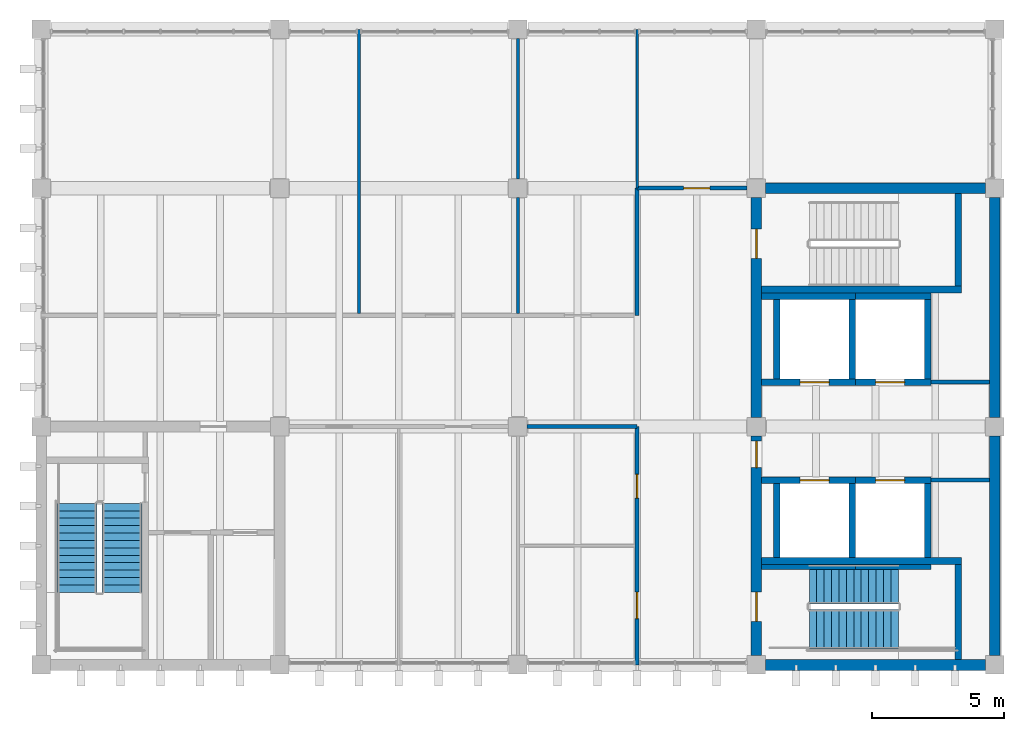
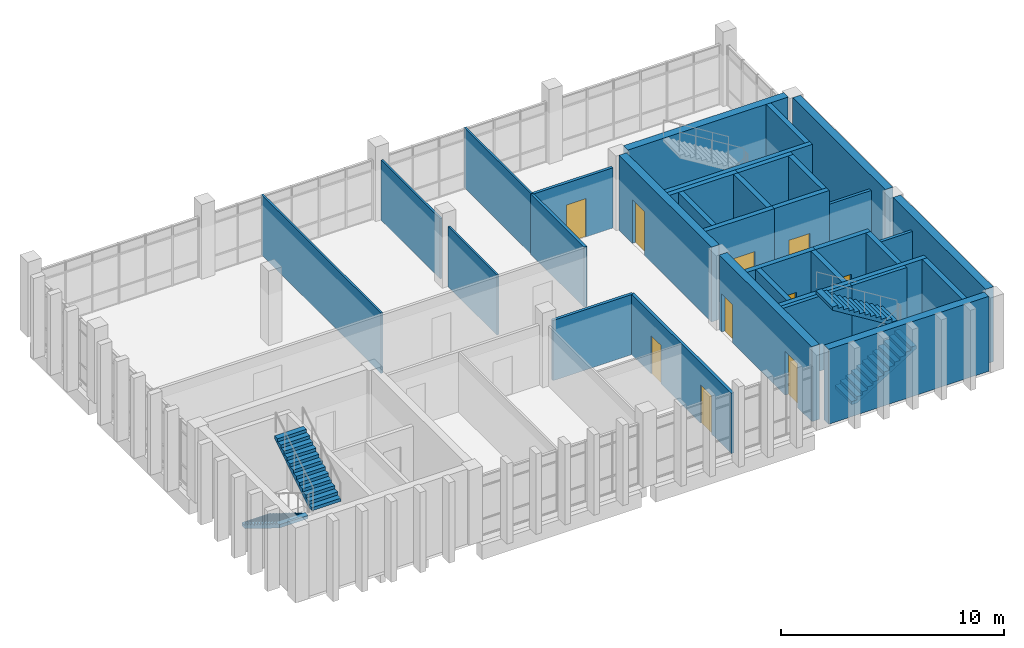
# One storey, part 10 of 14: 34 walls, 10 doors, 4 stair flights, 10 openings, 2 elements without a shape of their own.
"""IFC4 building model written with IfcOpenShell, lengths in metres."""

from ifc_helpers import new_model, si_unit, direction, frame, frame_2d, origin, place, context, subcontext, project, spatial, polyline, rectangle, outline, extrude, material, layer, layer_set, type_object, element, fill, aggregate, save


model = new_model("IFC4")

# Units and contexts
model_context = context("Model", 3, precision=1e-05, world=origin(), true_north=direction((0.0, 1.0)))
body_context = subcontext(model_context, "Body", "Model", "MODEL_VIEW")
ifc_project = project(units=[si_unit("LENGTHUNIT", "METRE"), si_unit("AREAUNIT", "SQUARE_METRE"), si_unit("VOLUMEUNIT", "CUBIC_METRE"), si_unit("PLANEANGLEUNIT", "RADIAN"), si_unit("MASSUNIT", "GRAM", prefix="KILO")], contexts=[model_context])

# Site, building, storey
site_placement = place(None, origin())
site = spatial("IfcSite", under=ifc_project, at=site_placement, CompositionType="ELEMENT")
building_placement = place(site_placement, origin())
building = spatial("IfcBuilding", under=site, at=building_placement, Name="Merrow Basin Faculty of Sciences", CompositionType="ELEMENT")
storey_placement = place(building_placement, frame((0.0, 0.0, 36.0)))
storey = spatial("IfcBuildingStorey", under=building, at=storey_placement, Name="L08", CompositionType="ELEMENT", Elevation=36.0)

# Wall, openings, doors
ifc_material_1 = material(Name="Fire-rated gypsum board")
ifc_layer_1 = layer(ifc_material_1, 0.14990234375)
ifc_layer_set_1 = layer_set([ifc_layer_1], Name="Corridor partition 150 fire-rated board on steel studs")
wall_type_1 = type_object("IfcWallType", Name="Corridor partition 150 fire-rated board on steel studs", PredefinedType="PARTITIONING", material=ifc_layer_set_1)
wall_1_placement = place(storey_placement, frame((40.5, 142.0, 0.0), z_axis=(0.0, 0.0, 1.0), x_axis=(0.0, 1.0, 0.0)))
wall_1 = element("IfcWall", 1, at=wall_1_placement, inside=storey, type_object=wall_type_1, Name="IW151 L08 004", PredefinedType="PARTITIONING", context=body_context, shape_type="SweptSolid", body=[
    extrude(rectangle(XDim=9.0, YDim=0.14990234375, at=frame_2d((4.5, 0.0))), origin(), (0.0, 0.0, 1.0), 3.300048828125),
])
opening_1_placement = place(wall_1_placement, frame((1.75, 0.0, 0.0)))
opening_1 = element("IfcOpeningElement", 2, at=opening_1_placement, cuts=wall_1, Name="Opening D08T008", PredefinedType="OPENING", context=body_context, shape_type="SweptSolid", body=[
    extrude(rectangle(XDim=1.0, YDim=2.10009765625, at=frame_2d((0.5, 1.050048828125))), frame((0.0, 0.0849609375, 0.0), z_axis=(0.0, -1.0, 0.0), x_axis=(1.0, 0.0, 0.0)), (0.0, 0.0, 1.0), 0.169921875),
])
opening_2_placement = place(wall_1_placement, frame((6.300048828125, 0.0, 0.0)))
opening_2 = element("IfcOpeningElement", 3, at=opening_2_placement, cuts=wall_1, Name="Opening D08T009", PredefinedType="OPENING", context=body_context, shape_type="SweptSolid", body=[
    extrude(rectangle(XDim=0.89990234375, YDim=2.10009765625, at=frame_2d((0.449951171875, 1.050048828125))), frame((0.0, 0.0849609375, 0.0), z_axis=(0.0, -1.0, 0.0), x_axis=(1.0, 0.0, 0.0)), (0.0, 0.0, 1.0), 0.169921875),
])
ifc_material_2 = material(Name="Timber door leaf", Category="wood")
door_type_1 = type_object("IfcDoorType", Name="Accessible door 1000 x 2100", OperationType="NOTDEFINED", PredefinedType="DOOR", material=ifc_material_2)
door_1_placement = place(opening_1_placement, origin())
door_1 = element("IfcDoor", 4, at=door_1_placement, inside=storey, type_object=door_type_1, Name="Door D08T008", OperationType="SINGLE_SWING_LEFT", OverallHeight=2.10009765625, OverallWidth=1.0, PredefinedType="DOOR", context=body_context, shape_type="SweptSolid", body=[
    extrude(rectangle(XDim=1.0, YDim=2.10009765625, at=frame_2d((0.5, 1.050048828125))), frame((0.0, 0.02490234375, 0.0), z_axis=(0.0, -1.0, 0.0), x_axis=(1.0, 0.0, 0.0)), (0.0, 0.0, 1.0), 0.050048828125),
])
fill(opening_1, door_1)
ifc_material_3 = material(Name="Timber door leaf", Category="wood")
door_type_2 = type_object("IfcDoorType", Name="Single swing door 900 x 2100", OperationType="NOTDEFINED", PredefinedType="DOOR", material=ifc_material_3)
door_2_placement = place(opening_2_placement, origin())
door_2 = element("IfcDoor", 5, at=door_2_placement, inside=storey, type_object=door_type_2, Name="Door D08T009", OperationType="SINGLE_SWING_LEFT", OverallHeight=2.10009765625, OverallWidth=0.89990234375, PredefinedType="DOOR", context=body_context, shape_type="SweptSolid", body=[
    extrude(rectangle(XDim=0.89990234375, YDim=2.10009765625, at=frame_2d((0.449951171875, 1.050048828125))), frame((0.0, 0.02490234375, 0.0), z_axis=(0.0, -1.0, 0.0), x_axis=(1.0, 0.0, 0.0)), (0.0, 0.0, 1.0), 0.050048828125),
])
fill(opening_2, door_2)

# Walls
wall_2_placement = place(storey_placement, frame((40.5, 155.199951171875, 0.0), z_axis=(0.0, 0.0, 1.0), x_axis=(0.0, 1.0, 0.0)))
element("IfcWall", 6, at=wall_2_placement, inside=storey, type_object=wall_type_1, Name="IW151 L08 005", PredefinedType="PARTITIONING", context=body_context, shape_type="SweptSolid", body=[
    extrude(rectangle(XDim=4.800048828125, YDim=0.14990234375, at=frame_2d((2.39990234375, 0.0))), origin(), (0.0, 0.0, 1.0), 3.300048828125),
])
wall_3_placement = place(storey_placement, frame((51.60009765625, 148.97509765625, 0.0), z_axis=(0.0, 0.0, 1.0), x_axis=(1.0, 0.0, 0.0)))
element("IfcWall", 7, at=wall_3_placement, inside=storey, type_object=wall_type_1, Name="IW151 L08 007", PredefinedType="PARTITIONING", context=body_context, shape_type="SweptSolid", body=[
    extrude(rectangle(XDim=2.199951171875, YDim=0.14990234375, at=frame_2d((1.10009765625, 0.0))), origin(), (0.0, 0.0, 1.0), 3.300048828125),
])
wall_4_placement = place(storey_placement, frame((36.35009765625, 151.0, 0.0), z_axis=(0.0, 0.0, 1.0), x_axis=(1.0, 0.0, 0.0)))
element("IfcWall", 8, at=wall_4_placement, inside=storey, type_object=wall_type_1, Name="IW151 L08 009", PredefinedType="PARTITIONING", context=body_context, shape_type="SweptSolid", body=[
    extrude(rectangle(XDim=4.14990234375, YDim=0.14990234375, at=frame_2d((2.074951171875, 0.0))), origin(), (0.0, 0.0, 1.0), 3.300048828125),
])
wall_5_placement = place(storey_placement, frame((51.60009765625, 152.675048828125, 0.0), z_axis=(0.0, 0.0, 1.0), x_axis=(1.0, 0.0, 0.0)))
element("IfcWall", 9, at=wall_5_placement, inside=storey, type_object=wall_type_1, Name="IW151 L08 010", PredefinedType="PARTITIONING", context=body_context, shape_type="SweptSolid", body=[
    extrude(rectangle(XDim=2.199951171875, YDim=0.14990234375, at=frame_2d((1.10009765625, 0.0))), origin(), (0.0, 0.0, 1.0), 3.300048828125),
])

# Wall, opening, door
wall_6_placement = place(storey_placement, frame((40.5, 160.0, 0.0), z_axis=(0.0, 0.0, 1.0), x_axis=(1.0, 0.0, 0.0)))
wall_6 = element("IfcWall", 10, at=wall_6_placement, inside=storey, type_object=wall_type_1, Name="IW151 L08 012", PredefinedType="PARTITIONING", context=body_context, shape_type="SweptSolid", body=[
    extrude(rectangle(XDim=4.14990234375, YDim=0.14990234375, at=frame_2d((2.074951171875, 0.0))), origin(), (0.0, 0.0, 1.0), 3.300048828125),
])
opening_3_placement = place(wall_6_placement, frame((1.75, 0.0, 0.0)))
opening_3 = element("IfcOpeningElement", 11, at=opening_3_placement, cuts=wall_6, Name="Opening D08T015", PredefinedType="OPENING", context=body_context, shape_type="SweptSolid", body=[
    extrude(rectangle(XDim=1.0, YDim=2.10009765625, at=frame_2d((0.5, 1.050048828125))), frame((0.0, 0.0849609375, 0.0), z_axis=(0.0, -1.0, 0.0), x_axis=(1.0, 0.0, 0.0)), (0.0, 0.0, 1.0), 0.169921875),
])
ifc_material_4 = material(Name="Timber door leaf", Category="wood")
door_type_3 = type_object("IfcDoorType", Name="Single swing door 1000 x 2100", OperationType="NOTDEFINED", PredefinedType="DOOR", material=ifc_material_4)
door_3_placement = place(opening_3_placement, origin())
door_3 = element("IfcDoor", 12, at=door_3_placement, inside=storey, type_object=door_type_3, Name="Door D08T015", OperationType="SINGLE_SWING_LEFT", OverallHeight=2.10009765625, OverallWidth=1.0, PredefinedType="DOOR", context=body_context, shape_type="SweptSolid", body=[
    extrude(rectangle(XDim=1.0, YDim=2.10009765625, at=frame_2d((0.5, 1.050048828125))), frame((0.0, 0.02490234375, 0.0), z_axis=(0.0, -1.0, 0.0), x_axis=(1.0, 0.0, 0.0)), (0.0, 0.0, 1.0), 0.050048828125),
])
fill(opening_3, door_3)

# Walls
ifc_material_5 = material(Name="Gypsum board")
ifc_layer_2 = layer(ifc_material_5, 0.10009765625)
ifc_layer_set_2 = layer_set([ifc_layer_2], Name="Partition 100 gypsum board on steel studs")
wall_type_2 = type_object("IfcWallType", Name="Partition 100 gypsum board on steel studs", PredefinedType="PARTITIONING", material=ifc_layer_set_2)
wall_7_placement = place(storey_placement, frame((30.0, 155.27490234375, 0.0), z_axis=(0.0, 0.0, 1.0), x_axis=(0.0, 1.0, 0.0)))
element("IfcWall", 13, at=wall_7_placement, inside=storey, type_object=wall_type_2, Name="IW100 L08 015", PredefinedType="PARTITIONING", context=body_context, shape_type="SweptSolid", body=[
    extrude(rectangle(XDim=10.72509765625, YDim=0.10009765625, at=frame_2d((5.362548828125, 0.0))), origin(), (0.0, 0.0, 1.0), 3.300048828125),
])
wall_8_placement = place(storey_placement, frame((36.0, 160.35009765625, 0.0), z_axis=(0.0, 0.0, 1.0), x_axis=(0.0, 1.0, 0.0)))
element("IfcWall", 14, at=wall_8_placement, inside=storey, type_object=wall_type_2, Name="IW100 L08 017", PredefinedType="PARTITIONING", context=body_context, shape_type="SweptSolid", body=[
    extrude(rectangle(XDim=5.2998046875, YDim=0.10009765625, at=frame_2d((2.64990234375, 0.0))), origin(), (0.0, 0.0, 1.0), 3.300048828125),
])
wall_9_placement = place(storey_placement, frame((36.0, 155.27490234375, 0.0), z_axis=(0.0, 0.0, 1.0), x_axis=(0.0, 1.0, 0.0)))
element("IfcWall", 15, at=wall_9_placement, inside=storey, type_object=wall_type_2, Name="IW100 L08 018", PredefinedType="PARTITIONING", context=body_context, shape_type="SweptSolid", body=[
    extrude(rectangle(XDim=4.375, YDim=0.10009765625, at=frame_2d((2.1875, 0.0))), origin(), (0.0, 0.0, 1.0), 3.300048828125),
])
wall_10_placement = place(storey_placement, frame((40.5, 160.0, 0.0), z_axis=(0.0, 0.0, 1.0), x_axis=(0.0, 1.0, 0.0)))
element("IfcWall", 16, at=wall_10_placement, inside=storey, type_object=wall_type_2, Name="IW100 L08 019", PredefinedType="PARTITIONING", context=body_context, shape_type="SweptSolid", body=[
    extrude(rectangle(XDim=6.0, YDim=0.10009765625, at=frame_2d((3.0, 0.0))), origin(), (0.0, 0.0, 1.0), 3.300048828125),
])
ifc_material_6 = material(Name="Concrete C40/50", Category="concrete")
ifc_layer_3 = layer(ifc_material_6, 0.199951171875)
ifc_layer_set_3 = layer_set([ifc_layer_3], Name="Shear wall 200 Concrete C40/50")
wall_type_3 = type_object("IfcWallType", Name="Shear wall 200 Concrete C40/50", PredefinedType="SHEAR", material=ifc_layer_set_3)
wall_11_placement = place(storey_placement, frame((45.199951171875, 145.699951171875, 0.0), z_axis=(0.0, 0.0, 1.0), x_axis=(1.0, 0.0, 0.0)))
element("IfcWall", 17, at=wall_11_placement, inside=storey, type_object=wall_type_3, Name="SW6 L08 018", PredefinedType="SHEAR", context=body_context, shape_type="SweptSolid", body=[
    extrude(rectangle(XDim=3.550048828125, YDim=0.199951171875, at=frame_2d((1.77490234375, 0.0))), origin(), (0.0, 0.0, 1.0), 4.10009765625),
])
wall_12_placement = place(storey_placement, frame((48.75, 145.699951171875, 0.0), z_axis=(0.0, 0.0, 1.0), x_axis=(1.0, 0.0, 0.0)))
element("IfcWall", 18, at=wall_12_placement, inside=storey, type_object=wall_type_3, Name="SW6 L08 022", PredefinedType="SHEAR", context=body_context, shape_type="SweptSolid", body=[
    extrude(rectangle(XDim=2.85009765625, YDim=0.199951171875, at=frame_2d((1.425048828125, 0.0))), origin(), (0.0, 0.0, 1.0), 4.10009765625),
])
ifc_material_7 = material(Name="Concrete C40/50", Category="concrete")
ifc_layer_4 = layer(ifc_material_7, 0.25)
ifc_layer_set_4 = layer_set([ifc_layer_4], Name="Shear wall 250 Concrete C40/50")
wall_type_4 = type_object("IfcWallType", Name="Shear wall 250 Concrete C40/50", PredefinedType="SHEAR", material=ifc_layer_set_4)
wall_13_placement = place(storey_placement, frame((45.199951171875, 156.175048828125, 0.0), z_axis=(0.0, 0.0, 1.0), x_axis=(1.0, 0.0, 0.0)))
element("IfcWall", 19, at=wall_13_placement, inside=storey, type_object=wall_type_4, Name="SW2 L08 007", PredefinedType="SHEAR", context=body_context, shape_type="SweptSolid", body=[
    extrude(rectangle(XDim=7.550048828125, YDim=0.25, at=frame_2d((3.77490234375, 0.0))), origin(), (0.0, 0.0, 1.0), 4.10009765625),
])
wall_14_placement = place(storey_placement, frame((52.625, 156.300048828125, 0.0), z_axis=(0.0, 0.0, 1.0), x_axis=(0.0, 1.0, 0.0)))
element("IfcWall", 20, at=wall_14_placement, inside=storey, type_object=wall_type_4, Name="SW2 L08 008", PredefinedType="SHEAR", context=body_context, shape_type="SweptSolid", body=[
    extrude(rectangle(XDim=3.5, YDim=0.25, at=frame_2d((1.75, 0.0))), origin(), (0.0, 0.0, 1.0), 4.10009765625),
])
wall_15_placement = place(storey_placement, frame((45.199951171875, 145.925048828125, 0.0), z_axis=(0.0, 0.0, 1.0), x_axis=(1.0, 0.0, 0.0)))
element("IfcWall", 21, at=wall_15_placement, inside=storey, type_object=wall_type_4, Name="SW2 L08 009", PredefinedType="SHEAR", context=body_context, shape_type="SweptSolid", body=[
    extrude(rectangle(XDim=7.550048828125, YDim=0.25, at=frame_2d((3.77490234375, 0.0))), origin(), (0.0, 0.0, 1.0), 4.10009765625),
])
wall_16_placement = place(storey_placement, frame((52.625, 142.199951171875, 0.0), z_axis=(0.0, 0.0, 1.0), x_axis=(0.0, 1.0, 0.0)))
element("IfcWall", 22, at=wall_16_placement, inside=storey, type_object=wall_type_4, Name="SW2 L08 010", PredefinedType="SHEAR", context=body_context, shape_type="SweptSolid", body=[
    extrude(rectangle(XDim=3.60009765625, YDim=0.25, at=frame_2d((1.800048828125, 0.0))), origin(), (0.0, 0.0, 1.0), 4.10009765625),
])

# Wall, opening, door
wall_17_placement = place(storey_placement, frame((45.199951171875, 152.675048828125, 0.0), z_axis=(0.0, 0.0, 1.0), x_axis=(1.0, 0.0, 0.0)))
wall_17 = element("IfcWall", 23, at=wall_17_placement, inside=storey, type_object=wall_type_4, Name="SW2 L08 011", PredefinedType="SHEAR", context=body_context, shape_type="SweptSolid", body=[
    extrude(rectangle(XDim=3.550048828125, YDim=0.25, at=frame_2d((1.77490234375, 0.0))), origin(), (0.0, 0.0, 1.0), 4.10009765625),
])
opening_4_placement = place(wall_17_placement, frame((1.449951171875, 0.0, 0.0)))
opening_4 = element("IfcOpeningElement", 24, at=opening_4_placement, cuts=wall_17, Name="Opening LD08T01", PredefinedType="OPENING", context=body_context, shape_type="SweptSolid", body=[
    extrude(rectangle(XDim=1.10009765625, YDim=2.10009765625, at=frame_2d((0.550048828125, 1.050048828125))), frame((0.0, 0.135009765625, 0.0), z_axis=(0.0, -1.0, 0.0), x_axis=(1.0, 0.0, 0.0)), (0.0, 0.0, 1.0), 0.27001953125),
])
ifc_material_8 = material(Name="Stainless steel sliding door", Category="steel")
door_type_4 = type_object("IfcDoorType", Name="Lift landing door 1100 x 2100 sliding", OperationType="NOTDEFINED", PredefinedType="DOOR", material=ifc_material_8)
door_4_placement = place(opening_4_placement, origin())
door_4 = element("IfcDoor", 25, at=door_4_placement, inside=storey, type_object=door_type_4, Name="Landing door LF11 L08", OperationType="SLIDING_TO_LEFT", OverallHeight=2.10009765625, OverallWidth=1.10009765625, PredefinedType="DOOR", context=body_context, shape_type="SweptSolid", body=[
    extrude(rectangle(XDim=1.10009765625, YDim=2.10009765625, at=frame_2d((0.550048828125, 1.050048828125))), frame((0.0, 0.02490234375, 0.0), z_axis=(0.0, -1.0, 0.0), x_axis=(1.0, 0.0, 0.0)), (0.0, 0.0, 1.0), 0.050048828125),
])
fill(opening_4, door_4)

# Walls
wall_18_placement = place(storey_placement, frame((45.199951171875, 155.925048828125, 0.0), z_axis=(0.0, 0.0, 1.0), x_axis=(1.0, 0.0, 0.0)))
element("IfcWall", 26, at=wall_18_placement, inside=storey, type_object=wall_type_4, Name="SW2 L08 012", PredefinedType="SHEAR", context=body_context, shape_type="SweptSolid", body=[
    extrude(rectangle(XDim=3.550048828125, YDim=0.25, at=frame_2d((1.77490234375, 0.0))), origin(), (0.0, 0.0, 1.0), 4.10009765625),
])
for number, where, z_axis, x_axis, name in (
    (27, (45.77490234375, 152.800048828125, 0.0), (0.0, 0.0, 1.0), (0.0, 1.0, 0.0), "SW2 L08 013"),
    (28, (48.625, 152.800048828125, 0.0), (0.0, 0.0, 1.0), (0.0, 1.0, 0.0), "SW2 L08 014"),
):
    element("IfcWall", number, at=place(storey_placement, frame(where, z_axis=z_axis, x_axis=x_axis)), inside=storey, type_object=wall_type_4, Name=name, PredefinedType="SHEAR", context=body_context, shape_type="SweptSolid", body=[
        extrude(rectangle(XDim=3.0, YDim=0.25, at=frame_2d((1.5, 0.0))), origin(), (0.0, 0.0, 1.0), 4.10009765625),
    ])

# Wall, opening, door
wall_19_placement = place(storey_placement, frame((48.75, 152.675048828125, 0.0), z_axis=(0.0, 0.0, 1.0), x_axis=(1.0, 0.0, 0.0)))
wall_19 = element("IfcWall", 29, at=wall_19_placement, inside=storey, type_object=wall_type_4, Name="SW2 L08 015", PredefinedType="SHEAR", context=body_context, shape_type="SweptSolid", body=[
    extrude(rectangle(XDim=2.85009765625, YDim=0.25, at=frame_2d((1.425048828125, 0.0))), origin(), (0.0, 0.0, 1.0), 4.10009765625),
])
opening_5_placement = place(wall_19_placement, frame((0.75, 0.0, 0.0)))
opening_5 = element("IfcOpeningElement", 30, at=opening_5_placement, cuts=wall_19, Name="Opening LD08T02", PredefinedType="OPENING", context=body_context, shape_type="SweptSolid", body=[
    extrude(rectangle(XDim=1.10009765625, YDim=2.10009765625, at=frame_2d((0.550048828125, 1.050048828125))), frame((0.0, 0.135009765625, 0.0), z_axis=(0.0, -1.0, 0.0), x_axis=(1.0, 0.0, 0.0)), (0.0, 0.0, 1.0), 0.27001953125),
])
door_5_placement = place(opening_5_placement, origin())
door_5 = element("IfcDoor", 31, at=door_5_placement, inside=storey, type_object=door_type_4, Name="Landing door LF12 L08", OperationType="SLIDING_TO_LEFT", OverallHeight=2.10009765625, OverallWidth=1.10009765625, PredefinedType="DOOR", context=body_context, shape_type="SweptSolid", body=[
    extrude(rectangle(XDim=1.10009765625, YDim=2.10009765625, at=frame_2d((0.550048828125, 1.050048828125))), frame((0.0, 0.02490234375, 0.0), z_axis=(0.0, -1.0, 0.0), x_axis=(1.0, 0.0, 0.0)), (0.0, 0.0, 1.0), 0.050048828125),
])
fill(opening_5, door_5)

# Walls
wall_20_placement = place(storey_placement, frame((48.75, 155.925048828125, 0.0), z_axis=(0.0, 0.0, 1.0), x_axis=(1.0, 0.0, 0.0)))
element("IfcWall", 32, at=wall_20_placement, inside=storey, type_object=wall_type_4, Name="SW2 L08 016", PredefinedType="SHEAR", context=body_context, shape_type="SweptSolid", body=[
    extrude(rectangle(XDim=2.85009765625, YDim=0.25, at=frame_2d((1.425048828125, 0.0))), origin(), (0.0, 0.0, 1.0), 4.10009765625),
])
wall_21_placement = place(storey_placement, frame((51.47509765625, 152.800048828125, 0.0), z_axis=(0.0, 0.0, 1.0), x_axis=(0.0, 1.0, 0.0)))
element("IfcWall", 33, at=wall_21_placement, inside=storey, type_object=wall_type_4, Name="SW2 L08 017", PredefinedType="SHEAR", context=body_context, shape_type="SweptSolid", body=[
    extrude(rectangle(XDim=3.0, YDim=0.25, at=frame_2d((1.5, 0.0))), origin(), (0.0, 0.0, 1.0), 4.10009765625),
])

# Wall, opening, door
wall_22_placement = place(storey_placement, frame((45.199951171875, 148.97509765625, 0.0), z_axis=(0.0, 0.0, 1.0), x_axis=(1.0, 0.0, 0.0)))
wall_22 = element("IfcWall", 34, at=wall_22_placement, inside=storey, type_object=wall_type_4, Name="SW2 L08 019", PredefinedType="SHEAR", context=body_context, shape_type="SweptSolid", body=[
    extrude(rectangle(XDim=3.550048828125, YDim=0.25, at=frame_2d((1.77490234375, 0.0))), origin(), (0.0, 0.0, 1.0), 4.10009765625),
])
opening_6_placement = place(wall_22_placement, frame((1.449951171875, 0.0, 0.0)))
opening_6 = element("IfcOpeningElement", 35, at=opening_6_placement, cuts=wall_22, Name="Opening LD08T03", PredefinedType="OPENING", context=body_context, shape_type="SweptSolid", body=[
    extrude(rectangle(XDim=1.10009765625, YDim=2.10009765625, at=frame_2d((0.550048828125, 1.050048828125))), frame((0.0, 0.135009765625, 0.0), z_axis=(0.0, -1.0, 0.0), x_axis=(1.0, 0.0, 0.0)), (0.0, 0.0, 1.0), 0.27001953125),
])
door_6_placement = place(opening_6_placement, origin())
door_6 = element("IfcDoor", 36, at=door_6_placement, inside=storey, type_object=door_type_4, Name="Landing door LF13 L08", OperationType="SLIDING_TO_LEFT", OverallHeight=2.10009765625, OverallWidth=1.10009765625, PredefinedType="DOOR", context=body_context, shape_type="SweptSolid", body=[
    extrude(rectangle(XDim=1.10009765625, YDim=2.10009765625, at=frame_2d((0.550048828125, 1.050048828125))), frame((0.0, 0.02490234375, 0.0), z_axis=(0.0, -1.0, 0.0), x_axis=(1.0, 0.0, 0.0)), (0.0, 0.0, 1.0), 0.050048828125),
])
fill(opening_6, door_6)

# Walls
for number, where, z_axis, x_axis, name in (
    (37, (45.77490234375, 146.050048828125, 0.0), (0.0, 0.0, 1.0), (0.0, 1.0, 0.0), "SW2 L08 020"),
    (38, (48.625, 146.050048828125, 0.0), (0.0, 0.0, 1.0), (0.0, 1.0, 0.0), "SW2 L08 021"),
):
    element("IfcWall", number, at=place(storey_placement, frame(where, z_axis=z_axis, x_axis=x_axis)), inside=storey, type_object=wall_type_4, Name=name, PredefinedType="SHEAR", context=body_context, shape_type="SweptSolid", body=[
        extrude(rectangle(XDim=2.800048828125, YDim=0.25, at=frame_2d((1.39990234375, 0.0))), origin(), (0.0, 0.0, 1.0), 4.10009765625),
    ])

# Wall, opening, door
wall_23_placement = place(storey_placement, frame((48.75, 148.97509765625, 0.0), z_axis=(0.0, 0.0, 1.0), x_axis=(1.0, 0.0, 0.0)))
wall_23 = element("IfcWall", 39, at=wall_23_placement, inside=storey, type_object=wall_type_4, Name="SW2 L08 023", PredefinedType="SHEAR", context=body_context, shape_type="SweptSolid", body=[
    extrude(rectangle(XDim=2.85009765625, YDim=0.25, at=frame_2d((1.425048828125, 0.0))), origin(), (0.0, 0.0, 1.0), 4.10009765625),
])
opening_7_placement = place(wall_23_placement, frame((0.75, 0.0, 0.0)))
opening_7 = element("IfcOpeningElement", 40, at=opening_7_placement, cuts=wall_23, Name="Opening LD08T04", PredefinedType="OPENING", context=body_context, shape_type="SweptSolid", body=[
    extrude(rectangle(XDim=1.10009765625, YDim=2.10009765625, at=frame_2d((0.550048828125, 1.050048828125))), frame((0.0, 0.135009765625, 0.0), z_axis=(0.0, -1.0, 0.0), x_axis=(1.0, 0.0, 0.0)), (0.0, 0.0, 1.0), 0.27001953125),
])
door_7_placement = place(opening_7_placement, origin())
door_7 = element("IfcDoor", 41, at=door_7_placement, inside=storey, type_object=door_type_4, Name="Landing door LF14 L08", OperationType="SLIDING_TO_LEFT", OverallHeight=2.10009765625, OverallWidth=1.10009765625, PredefinedType="DOOR", context=body_context, shape_type="SweptSolid", body=[
    extrude(rectangle(XDim=1.10009765625, YDim=2.10009765625, at=frame_2d((0.550048828125, 1.050048828125))), frame((0.0, 0.02490234375, 0.0), z_axis=(0.0, -1.0, 0.0), x_axis=(1.0, 0.0, 0.0)), (0.0, 0.0, 1.0), 0.050048828125),
])
fill(opening_7, door_7)

# Walls
wall_24_placement = place(storey_placement, frame((51.47509765625, 146.050048828125, 0.0), z_axis=(0.0, 0.0, 1.0), x_axis=(0.0, 1.0, 0.0)))
element("IfcWall", 42, at=wall_24_placement, inside=storey, type_object=wall_type_4, Name="SW2 L08 024", PredefinedType="SHEAR", context=body_context, shape_type="SweptSolid", body=[
    extrude(rectangle(XDim=2.800048828125, YDim=0.25, at=frame_2d((1.39990234375, 0.0))), origin(), (0.0, 0.0, 1.0), 4.10009765625),
])
ifc_material_9 = material(Name="Concrete C40/50", Category="concrete")
ifc_layer_5 = layer(ifc_material_9, 0.39990234375)
ifc_layer_set_5 = layer_set([ifc_layer_5], Name="Shear wall 400 Concrete C40/50")
wall_type_5 = type_object("IfcWallType", Name="Shear wall 400 Concrete C40/50", PredefinedType="SHEAR", material=ifc_layer_set_5)
for number, where, z_axis, x_axis, name in (
    (43, (45.35009765625, 142.0, 0.0), (0.0, 0.0, 1.0), (1.0, 0.0, 0.0), "SW1 L08 001"),
    (44, (45.35009765625, 160.0, 0.0), (0.0, 0.0, 1.0), (1.0, 0.0, 0.0), "SW1 L08 002"),
):
    element("IfcWall", number, at=place(storey_placement, frame(where, z_axis=z_axis, x_axis=x_axis)), inside=storey, type_object=wall_type_5, Name=name, PredefinedType="SHEAR", context=body_context, shape_type="SweptSolid", body=[
        extrude(rectangle(XDim=8.2998046875, YDim=0.39990234375, at=frame_2d((4.14990234375, 0.0))), origin(), (0.0, 0.0, 1.0), 4.10009765625),
    ])

# Wall, openings, doors
wall_25_placement = place(storey_placement, frame((45.0, 142.35009765625, 0.0), z_axis=(0.0, 0.0, 1.0), x_axis=(0.0, 1.0, 0.0)))
wall_25 = element("IfcWall", 45, at=wall_25_placement, inside=storey, type_object=wall_type_5, Name="SW1 L08 003", PredefinedType="SHEAR", context=body_context, shape_type="SweptSolid", body=[
    extrude(rectangle(XDim=8.2998046875, YDim=0.39990234375, at=frame_2d((4.14990234375, 0.0))), origin(), (0.0, 0.0, 1.0), 4.10009765625),
])
opening_8_placement = place(wall_25_placement, frame((1.300048828125, 0.0, 0.0)))
opening_8 = element("IfcOpeningElement", 46, at=opening_8_placement, cuts=wall_25, Name="Opening D08T001", PredefinedType="OPENING", context=body_context, shape_type="SweptSolid", body=[
    extrude(rectangle(XDim=1.10009765625, YDim=2.39990234375, at=frame_2d((0.550048828125, 1.199951171875))), frame((0.0, 0.2099609375, 0.0), z_axis=(0.0, -1.0, 0.0), x_axis=(1.0, 0.0, 0.0)), (0.0, 0.0, 1.0), 0.419921875),
])
opening_9_placement = place(wall_25_placement, frame((7.10009765625, 0.0, 0.0)))
opening_9 = element("IfcOpeningElement", 47, at=opening_9_placement, cuts=wall_25, Name="Opening D08T003", PredefinedType="OPENING", context=body_context, shape_type="SweptSolid", body=[
    extrude(rectangle(XDim=1.0, YDim=2.10009765625, at=frame_2d((0.5, 1.050048828125))), frame((0.0, 0.2099609375, 0.0), z_axis=(0.0, -1.0, 0.0), x_axis=(1.0, 0.0, 0.0)), (0.0, 0.0, 1.0), 0.419921875),
])
ifc_material_10 = material(Name="Fire-rated steel door", Category="steel")
door_type_5 = type_object("IfcDoorType", Name="Fire door FD90 1100 x 2400", OperationType="NOTDEFINED", PredefinedType="DOOR", material=ifc_material_10)
door_8_placement = place(opening_8_placement, origin())
door_8 = element("IfcDoor", 48, at=door_8_placement, inside=storey, type_object=door_type_5, Name="Door D08T001", OperationType="SINGLE_SWING_LEFT", OverallHeight=2.39990234375, OverallWidth=1.10009765625, PredefinedType="DOOR", context=body_context, shape_type="SweptSolid", body=[
    extrude(rectangle(XDim=1.10009765625, YDim=2.39990234375, at=frame_2d((0.550048828125, 1.199951171875))), frame((0.0, 0.02490234375, 0.0), z_axis=(0.0, -1.0, 0.0), x_axis=(1.0, 0.0, 0.0)), (0.0, 0.0, 1.0), 0.050048828125),
])
fill(opening_8, door_8)
door_9_placement = place(opening_9_placement, origin())
door_9 = element("IfcDoor", 49, at=door_9_placement, inside=storey, type_object=door_type_3, Name="Door D08T003", OperationType="SINGLE_SWING_LEFT", OverallHeight=2.10009765625, OverallWidth=1.0, PredefinedType="DOOR", context=body_context, shape_type="SweptSolid", body=[
    extrude(rectangle(XDim=1.0, YDim=2.10009765625, at=frame_2d((0.5, 1.050048828125))), frame((0.0, 0.02490234375, 0.0), z_axis=(0.0, -1.0, 0.0), x_axis=(1.0, 0.0, 0.0)), (0.0, 0.0, 1.0), 0.050048828125),
])
fill(opening_9, door_9)

# Wall, opening, door
wall_26_placement = place(storey_placement, frame((45.0, 151.35009765625, 0.0), z_axis=(0.0, 0.0, 1.0), x_axis=(0.0, 1.0, 0.0)))
wall_26 = element("IfcWall", 50, at=wall_26_placement, inside=storey, type_object=wall_type_5, Name="SW1 L08 004", PredefinedType="SHEAR", context=body_context, shape_type="SweptSolid", body=[
    extrude(rectangle(XDim=8.2998046875, YDim=0.39990234375, at=frame_2d((4.14990234375, 0.0))), origin(), (0.0, 0.0, 1.0), 4.10009765625),
])
opening_10_placement = place(wall_26_placement, frame((6.0, 0.0, 0.0)))
opening_10 = element("IfcOpeningElement", 51, at=opening_10_placement, cuts=wall_26, Name="Opening D08T002", PredefinedType="OPENING", context=body_context, shape_type="SweptSolid", body=[
    extrude(rectangle(XDim=1.10009765625, YDim=2.39990234375, at=frame_2d((0.550048828125, 1.199951171875))), frame((0.0, 0.2099609375, 0.0), z_axis=(0.0, -1.0, 0.0), x_axis=(1.0, 0.0, 0.0)), (0.0, 0.0, 1.0), 0.419921875),
])
door_10_placement = place(opening_10_placement, origin())
door_10 = element("IfcDoor", 52, at=door_10_placement, inside=storey, type_object=door_type_5, Name="Door D08T002", OperationType="SINGLE_SWING_RIGHT", OverallHeight=2.39990234375, OverallWidth=1.10009765625, PredefinedType="DOOR", context=body_context, shape_type="SweptSolid", body=[
    extrude(rectangle(XDim=1.10009765625, YDim=2.39990234375, at=frame_2d((0.550048828125, 1.199951171875))), frame((0.0, 0.02490234375, 0.0), z_axis=(0.0, -1.0, 0.0), x_axis=(1.0, 0.0, 0.0)), (0.0, 0.0, 1.0), 0.050048828125),
])
fill(opening_10, door_10)

# Walls
for number, where, z_axis, x_axis, name in (
    (53, (54.0, 142.35009765625, 0.0), (0.0, 0.0, 1.0), (0.0, 1.0, 0.0), "SW1 L08 005"),
    (54, (54.0, 151.35009765625, 0.0), (0.0, 0.0, 1.0), (0.0, 1.0, 0.0), "SW1 L08 006"),
):
    element("IfcWall", number, at=place(storey_placement, frame(where, z_axis=z_axis, x_axis=x_axis)), inside=storey, type_object=wall_type_5, Name=name, PredefinedType="SHEAR", context=body_context, shape_type="SweptSolid", body=[
        extrude(rectangle(XDim=8.2998046875, YDim=0.39990234375, at=frame_2d((4.14990234375, 0.0))), origin(), (0.0, 0.0, 1.0), 4.10009765625),
    ])

# Stair, stair flights
ifc_material_11 = material(Name="Concrete C40/50", Category="concrete")
stair_type = type_object("IfcStairType", Name="Concrete dog-leg stair Concrete C40/50", PredefinedType="HALF_TURN_STAIR", material=ifc_material_11)
stair_1_placement = place(storey_placement, origin())
stair_1 = element("IfcStair", 55, at=stair_1_placement, inside=storey, type_object=stair_type, Name="L08 Exit stair N", PredefinedType="HALF_TURN_STAIR")
ifc_material_12 = material(Name="Concrete C40/50", Category="concrete")
stair_flight_type = type_object("IfcStairFlightType", Name="Concrete stair flight Concrete C40/50", PredefinedType="STRAIGHT", material=ifc_material_12)
stair_flight_1_placement = place(storey_placement, frame((47.0, 143.35009765625, 0.0), z_axis=(0.0, 0.0, 1.0), x_axis=(1.0, 0.0, 0.0)))
stair_flight_1 = element("IfcStairFlight", 56, at=stair_flight_1_placement, type_object=stair_flight_type, Name="ST-V5-N flight 1", NumberOfRisers=13, NumberOfTreads=12, PredefinedType="STRAIGHT", RiserHeight=0.173076923, TreadLength=0.28, context=body_context, shape_type="SweptSolid", body=[
    extrude(outline(polyline([(0.0, 0.0), (0.0, 0.173095703125), (0.280029296875, 0.173095703125), (0.280029296875, 0.34619140625), (0.56005859375, 0.34619140625), (0.56005859375, 0.519287109375), (0.840087890625, 0.519287109375), (0.840087890625, 0.6923828125), (1.1201171875, 0.6923828125), (1.1201171875, 0.865478515625), (1.39990234375, 0.865478515625), (1.39990234375, 1.03857421875), (1.679931640625, 1.03857421875), (1.679931640625, 1.21142578125), (1.9599609375, 1.21142578125), (1.9599609375, 1.384521484375), (2.239990234375, 1.384521484375), (2.239990234375, 1.5576171875), (2.52001953125, 1.5576171875), (2.52001953125, 1.730712890625), (2.800048828125, 1.730712890625), (2.800048828125, 1.90380859375), (3.080078125, 1.90380859375), (3.080078125, 2.076904296875), (3.360107421875, 2.076904296875), (3.360107421875, 2.25), (3.360107421875, 1.900634765625), (0.28515625, 0.0), (0.0, 0.0)])), frame((0.0, 0.75, 0.0), z_axis=(0.0, -1.0, 0.0), x_axis=(1.0, 0.0, 0.0)), (0.0, 0.0, 1.0), 1.5),
])
stair_flight_2_placement = place(storey_placement, frame((50.360107421875, 145.050048828125, 2.25), z_axis=(0.0, 0.0, 1.0), x_axis=(-1.0, 0.0, 0.0)))
stair_flight_2 = element("IfcStairFlight", 57, at=stair_flight_2_placement, type_object=stair_flight_type, Name="ST-V5-N flight 2", NumberOfRisers=13, NumberOfTreads=12, PredefinedType="STRAIGHT", RiserHeight=0.173076923, TreadLength=0.28, context=body_context, shape_type="SweptSolid", body=[
    extrude(outline(polyline([(0.0, 0.0), (0.0, 0.173095703125), (0.280029296875, 0.173095703125), (0.280029296875, 0.34619140625), (0.56005859375, 0.34619140625), (0.56005859375, 0.519287109375), (0.840087890625, 0.519287109375), (0.840087890625, 0.6923828125), (1.1201171875, 0.6923828125), (1.1201171875, 0.865478515625), (1.39990234375, 0.865478515625), (1.39990234375, 1.03857421875), (1.679931640625, 1.03857421875), (1.679931640625, 1.21142578125), (1.9599609375, 1.21142578125), (1.9599609375, 1.384521484375), (2.239990234375, 1.384521484375), (2.239990234375, 1.5576171875), (2.52001953125, 1.5576171875), (2.52001953125, 1.730712890625), (2.800048828125, 1.730712890625), (2.800048828125, 1.90380859375), (3.080078125, 1.90380859375), (3.080078125, 2.076904296875), (3.360107421875, 2.076904296875), (3.360107421875, 2.25), (3.360107421875, 1.900634765625), (0.28515625, 0.0), (0.0, 0.0)])), frame((0.0, 0.75, 0.0), z_axis=(0.0, -1.0, 0.0), x_axis=(1.0, 0.0, 0.0)), (0.0, 0.0, 1.0), 1.5),
])
aggregate(stair_1, [stair_flight_1, stair_flight_2])

stair_2_placement = place(storey_placement, origin())
stair_2 = element("IfcStair", 58, at=stair_2_placement, inside=storey, type_object=stair_type, Name="L08 Exit stair W", PredefinedType="HALF_TURN_STAIR")
stair_flight_3_placement = place(storey_placement, frame((19.35009765625, 148.10009765625, 0.0), z_axis=(0.0, 0.0, 1.0), x_axis=(0.0, -1.0, 0.0)))
stair_flight_3 = element("IfcStairFlight", 59, at=stair_flight_3_placement, type_object=stair_flight_type, Name="ST-V5-W flight 1", NumberOfRisers=13, NumberOfTreads=12, PredefinedType="STRAIGHT", RiserHeight=0.173076923, TreadLength=0.28, context=body_context, shape_type="SweptSolid", body=[
    extrude(outline(polyline([(0.0, 0.0), (0.0, 0.173095703125), (0.280029296875, 0.173095703125), (0.280029296875, 0.34619140625), (0.56005859375, 0.34619140625), (0.56005859375, 0.519287109375), (0.840087890625, 0.519287109375), (0.840087890625, 0.6923828125), (1.1201171875, 0.6923828125), (1.1201171875, 0.865478515625), (1.39990234375, 0.865478515625), (1.39990234375, 1.03857421875), (1.679931640625, 1.03857421875), (1.679931640625, 1.21142578125), (1.9599609375, 1.21142578125), (1.9599609375, 1.384521484375), (2.239990234375, 1.384521484375), (2.239990234375, 1.5576171875), (2.52001953125, 1.5576171875), (2.52001953125, 1.730712890625), (2.800048828125, 1.730712890625), (2.800048828125, 1.90380859375), (3.080078125, 1.90380859375), (3.080078125, 2.076904296875), (3.360107421875, 2.076904296875), (3.360107421875, 2.25), (3.360107421875, 1.900634765625), (0.28515625, 0.0), (0.0, 0.0)])), frame((0.0, 0.75, 0.0), z_axis=(0.0, -1.0, 0.0), x_axis=(1.0, 0.0, 0.0)), (0.0, 0.0, 1.0), 1.5),
])
stair_flight_4_placement = place(storey_placement, frame((21.050048828125, 144.739990234375, 2.25), z_axis=(0.0, 0.0, 1.0), x_axis=(0.0, 1.0, 0.0)))
stair_flight_4 = element("IfcStairFlight", 60, at=stair_flight_4_placement, type_object=stair_flight_type, Name="ST-V5-W flight 2", NumberOfRisers=13, NumberOfTreads=12, PredefinedType="STRAIGHT", RiserHeight=0.173076923, TreadLength=0.28, context=body_context, shape_type="SweptSolid", body=[
    extrude(outline(polyline([(0.0, 0.0), (0.0, 0.173095703125), (0.280029296875, 0.173095703125), (0.280029296875, 0.34619140625), (0.56005859375, 0.34619140625), (0.56005859375, 0.519287109375), (0.840087890625, 0.519287109375), (0.840087890625, 0.6923828125), (1.1201171875, 0.6923828125), (1.1201171875, 0.865478515625), (1.39990234375, 0.865478515625), (1.39990234375, 1.03857421875), (1.679931640625, 1.03857421875), (1.679931640625, 1.21142578125), (1.9599609375, 1.21142578125), (1.9599609375, 1.384521484375), (2.239990234375, 1.384521484375), (2.239990234375, 1.5576171875), (2.52001953125, 1.5576171875), (2.52001953125, 1.730712890625), (2.800048828125, 1.730712890625), (2.800048828125, 1.90380859375), (3.080078125, 1.90380859375), (3.080078125, 2.076904296875), (3.360107421875, 2.076904296875), (3.360107421875, 2.25), (3.360107421875, 1.900634765625), (0.28515625, 0.0), (0.0, 0.0)])), frame((0.0, 0.75, 0.0), z_axis=(0.0, -1.0, 0.0), x_axis=(1.0, 0.0, 0.0)), (0.0, 0.0, 1.0), 1.5),
])
aggregate(stair_2, [stair_flight_3, stair_flight_4])

save(model, "model.ifc")
